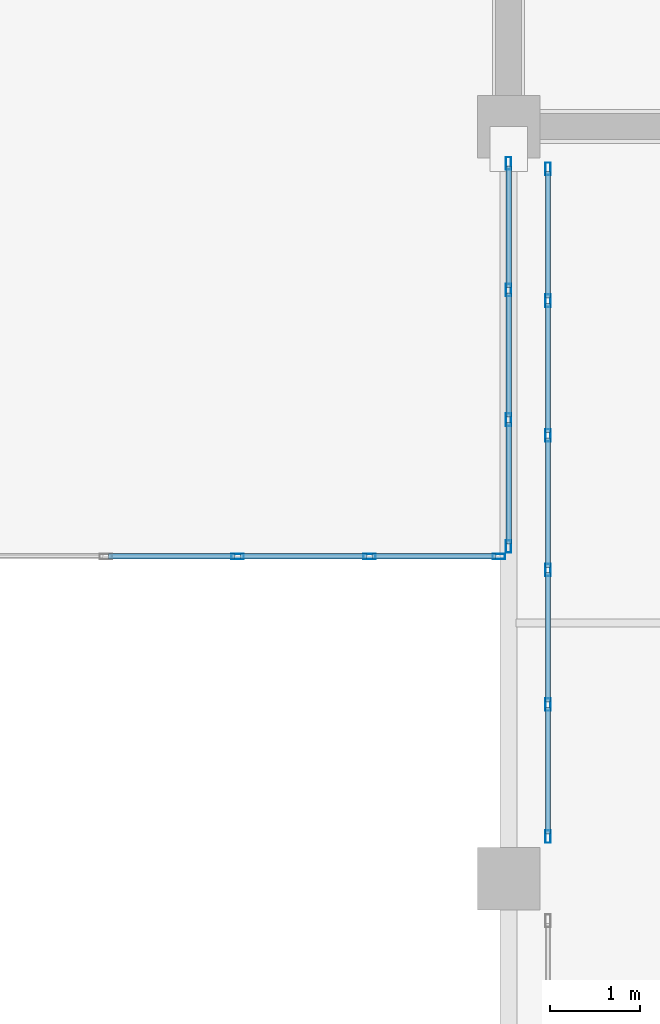
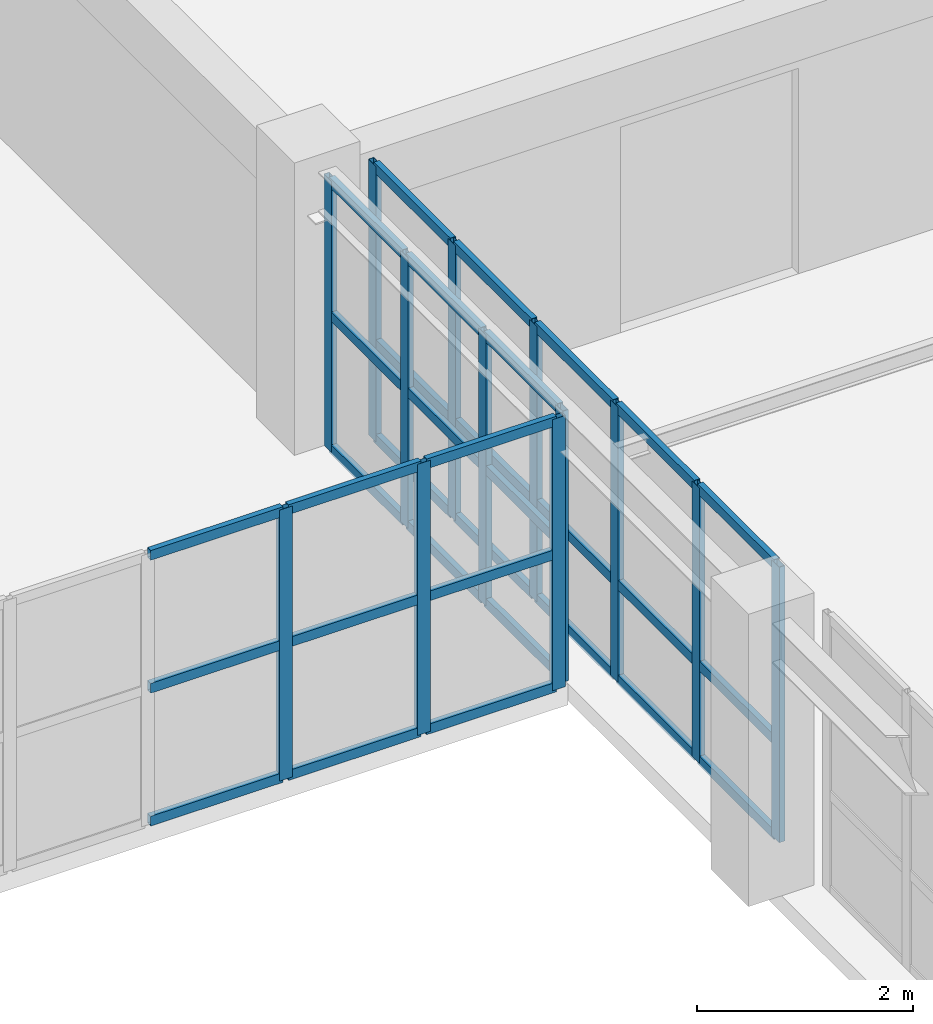
# One storey, part 35 of 148: 46 members, 3 elements without a shape of their own.
"""IFC4 building model written with IfcOpenShell, lengths in metres."""

from ifc_helpers import new_model, si_unit, direction, frame, origin, origin_2d, place, context, subcontext, project, spatial, hollow_rectangle, extrude, material, layer, layer_set, material_profile, profile_set, type_object, element, aggregate, save


model = new_model("IFC4")

# Units and contexts
model_context = context("Model", 3, precision=1e-05, world=origin(), true_north=direction((0.0, 1.0)))
body_context = subcontext(model_context, "Body", "Model", "MODEL_VIEW")
ifc_project = project(units=[si_unit("LENGTHUNIT", "METRE"), si_unit("AREAUNIT", "SQUARE_METRE"), si_unit("VOLUMEUNIT", "CUBIC_METRE"), si_unit("PLANEANGLEUNIT", "RADIAN"), si_unit("MASSUNIT", "GRAM", prefix="KILO")], contexts=[model_context])

# Site, building, storey
site_placement = place(None, origin())
site = spatial("IfcSite", under=ifc_project, at=site_placement, CompositionType="ELEMENT")
building_placement = place(site_placement, origin())
building = spatial("IfcBuilding", under=site, at=building_placement, Name="Trelvath General Hospital", CompositionType="ELEMENT")
storey_placement = place(building_placement, frame((0.0, 0.0, 12.89990234375)))
storey = spatial("IfcBuildingStorey", under=building, at=storey_placement, Name="L03", CompositionType="ELEMENT", Elevation=12.89990234375)

# Curtain wall, members
ifc_material_1 = material(Name="Anodised aluminium and low-E glass", Category="aluminium")
ifc_layer_1 = layer(ifc_material_1, 0.14990234375)
ifc_layer_set_1 = layer_set([ifc_layer_1], Name="Anodised aluminium and low-E glass")
curtain_wall_type_1 = type_object("IfcCurtainWallType", Name="CW CrystalCube 737 306 15", PredefinedType="USERDEFINED", material=ifc_layer_set_1)
curtain_wall_1_placement = place(storey_placement, origin())
curtain_wall_1 = element("IfcCurtainWall", 1, at=curtain_wall_1_placement, inside=storey, type_object=curtain_wall_type_1, Name="Crystal Cube Curtain Wall CUBE-W-T1 S3 L03", ObjectType="Unitised Glazed Curtain Wall", PredefinedType="USERDEFINED")
ifc_material_2 = material(Name="Anodised aluminium", Category="aluminium")
ifc_material_profile_1 = material_profile(ifc_material_2, hollow_rectangle(XDim=0.06005859375, YDim=0.139892578125, WallThickness=0.00390625, at=origin_2d()), Name="RHS60x140x4")
ifc_profile_set_1 = profile_set([ifc_material_profile_1], Name="Anodised aluminium")
member_type_1 = type_object("IfcMemberType", Name="CurtainMullion 60x140", PredefinedType="MULLION", material=ifc_profile_set_1)
member_1_placement = place(storey_placement, frame((75.489990234375, 37.199951171875, 0.0), z_axis=(0.0, 0.0, 1.0), x_axis=(0.0, -1.0, 0.0)))
member_1 = element("IfcMember", 2, at=member_1_placement, type_object=member_type_1, Name="CW-232 mullion 1", PredefinedType="MULLION", context=body_context, shape_type="SweptSolid", body=[
    extrude(hollow_rectangle(XDim=0.06005859375, YDim=0.139892578125, WallThickness=0.00390625, at=origin_2d()), origin(), (0.0, 0.0, 1.0), 3.06005859375),
])
member_2_placement = place(storey_placement, frame((74.046630859375, 37.199951171875, 0.0), z_axis=(0.0, 0.0, 1.0), x_axis=(0.0, -1.0, 0.0)))
member_2 = element("IfcMember", 3, at=member_2_placement, type_object=member_type_1, Name="CW-232 mullion 2", PredefinedType="MULLION", context=body_context, shape_type="SweptSolid", body=[
    extrude(hollow_rectangle(XDim=0.06005859375, YDim=0.139892578125, WallThickness=0.00390625, at=origin_2d()), origin(), (0.0, 0.0, 1.0), 3.06005859375),
])
member_3_placement = place(storey_placement, frame((72.5732421875, 37.199951171875, 0.0), z_axis=(0.0, 0.0, 1.0), x_axis=(0.0, -1.0, 0.0)))
member_3 = element("IfcMember", 4, at=member_3_placement, type_object=member_type_1, Name="CW-232 mullion 3", PredefinedType="MULLION", context=body_context, shape_type="SweptSolid", body=[
    extrude(hollow_rectangle(XDim=0.06005859375, YDim=0.139892578125, WallThickness=0.00390625, at=origin_2d()), origin(), (0.0, 0.0, 1.0), 3.06005859375),
])

ifc_material_3 = material(Name="Anodised aluminium and low-E glass", Category="aluminium")
ifc_layer_2 = layer(ifc_material_3, 0.14990234375)
ifc_layer_set_2 = layer_set([ifc_layer_2], Name="Anodised aluminium and low-E glass")
curtain_wall_type_2 = type_object("IfcCurtainWallType", Name="CW CrystalCube 434 306 15", PredefinedType="USERDEFINED", material=ifc_layer_set_2)
curtain_wall_2_placement = place(storey_placement, origin())
curtain_wall_2 = element("IfcCurtainWall", 5, at=curtain_wall_2_placement, inside=storey, type_object=curtain_wall_type_2, Name="Crystal Cube Curtain Wall CUBE-W-T1 E1 L03", ObjectType="Unitised Glazed Curtain Wall", PredefinedType="USERDEFINED")
member_4_placement = place(storey_placement, frame((75.60009765625, 41.590087890625, 0.0), z_axis=(0.0, 0.0, 1.0), x_axis=(1.0, 0.0, 0.0)))
member_4 = element("IfcMember", 6, at=member_4_placement, type_object=member_type_1, Name="CW-237 mullion 1", PredefinedType="MULLION", context=body_context, shape_type="SweptSolid", body=[
    extrude(hollow_rectangle(XDim=0.06005859375, YDim=0.139892578125, WallThickness=0.00390625, at=origin_2d()), origin(), (0.0, 0.0, 1.0), 3.06005859375),
])
member_5_placement = place(storey_placement, frame((75.60009765625, 40.17333984375, 0.0), z_axis=(0.0, 0.0, 1.0), x_axis=(1.0, 0.0, 0.0)))
member_5 = element("IfcMember", 7, at=member_5_placement, type_object=member_type_1, Name="CW-237 mullion 2", PredefinedType="MULLION", context=body_context, shape_type="SweptSolid", body=[
    extrude(hollow_rectangle(XDim=0.06005859375, YDim=0.139892578125, WallThickness=0.00390625, at=origin_2d()), origin(), (0.0, 0.0, 1.0), 3.06005859375),
])
member_6_placement = place(storey_placement, frame((75.60009765625, 38.7265625, 0.0), z_axis=(0.0, 0.0, 1.0), x_axis=(1.0, 0.0, 0.0)))
member_6 = element("IfcMember", 8, at=member_6_placement, type_object=member_type_1, Name="CW-237 mullion 3", PredefinedType="MULLION", context=body_context, shape_type="SweptSolid", body=[
    extrude(hollow_rectangle(XDim=0.06005859375, YDim=0.139892578125, WallThickness=0.00390625, at=origin_2d()), origin(), (0.0, 0.0, 1.0), 3.06005859375),
])
member_7_placement = place(storey_placement, frame((75.60009765625, 37.31005859375, 0.0), z_axis=(0.0, 0.0, 1.0), x_axis=(1.0, 0.0, 0.0)))
member_7 = element("IfcMember", 9, at=member_7_placement, type_object=member_type_1, Name="CW-237 mullion 4", PredefinedType="MULLION", context=body_context, shape_type="SweptSolid", body=[
    extrude(hollow_rectangle(XDim=0.06005859375, YDim=0.139892578125, WallThickness=0.00390625, at=origin_2d()), origin(), (0.0, 0.0, 1.0), 3.06005859375),
])

ifc_material_4 = material(Name="Anodised aluminium and low-E glass", Category="aluminium")
ifc_layer_3 = layer(ifc_material_4, 0.139892578125)
ifc_layer_set_3 = layer_set([ifc_layer_3], Name="Anodised aluminium and low-E glass")
curtain_wall_type_3 = type_object("IfcCurtainWallType", Name="CW Bridge 752 311", PredefinedType="USERDEFINED", material=ifc_layer_set_3)
curtain_wall_3_placement = place(storey_placement, origin())
curtain_wall_3 = element("IfcCurtainWall", 10, at=curtain_wall_3_placement, inside=storey, type_object=curtain_wall_type_3, Name="Glazed Bridge Curtain Wall BRG-S-C W L03", ObjectType="Unitised Glazed Curtain Wall", PredefinedType="USERDEFINED")
member_8_placement = place(storey_placement, frame((76.0400390625, 34.070068359375, 0.0), z_axis=(0.0, 0.0, 1.0), x_axis=(-1.0, 0.0, 0.0)))
member_8 = element("IfcMember", 11, at=member_8_placement, type_object=member_type_1, Name="CW-266 mullion 1", PredefinedType="MULLION", context=body_context, shape_type="SweptSolid", body=[
    extrude(hollow_rectangle(XDim=0.06005859375, YDim=0.139892578125, WallThickness=0.00390625, at=origin_2d()), origin(), (0.0, 0.0, 1.0), 3.110107421875),
])
member_9_placement = place(storey_placement, frame((76.0400390625, 35.5439453125, 0.0), z_axis=(0.0, 0.0, 1.0), x_axis=(-1.0, 0.0, 0.0)))
member_9 = element("IfcMember", 12, at=member_9_placement, type_object=member_type_1, Name="CW-266 mullion 2", PredefinedType="MULLION", context=body_context, shape_type="SweptSolid", body=[
    extrude(hollow_rectangle(XDim=0.06005859375, YDim=0.139892578125, WallThickness=0.00390625, at=origin_2d()), origin(), (0.0, 0.0, 1.0), 3.110107421875),
])
member_10_placement = place(storey_placement, frame((76.0400390625, 37.048095703125, 0.0), z_axis=(0.0, 0.0, 1.0), x_axis=(-1.0, 0.0, 0.0)))
member_10 = element("IfcMember", 13, at=member_10_placement, type_object=member_type_1, Name="CW-266 mullion 3", PredefinedType="MULLION", context=body_context, shape_type="SweptSolid", body=[
    extrude(hollow_rectangle(XDim=0.06005859375, YDim=0.139892578125, WallThickness=0.00390625, at=origin_2d()), origin(), (0.0, 0.0, 1.0), 3.110107421875),
])
member_11_placement = place(storey_placement, frame((76.0400390625, 38.552001953125, 0.0), z_axis=(0.0, 0.0, 1.0), x_axis=(-1.0, 0.0, 0.0)))
member_11 = element("IfcMember", 14, at=member_11_placement, type_object=member_type_1, Name="CW-266 mullion 4", PredefinedType="MULLION", context=body_context, shape_type="SweptSolid", body=[
    extrude(hollow_rectangle(XDim=0.06005859375, YDim=0.139892578125, WallThickness=0.00390625, at=origin_2d()), origin(), (0.0, 0.0, 1.0), 3.110107421875),
])
member_12_placement = place(storey_placement, frame((76.0400390625, 40.055908203125, 0.0), z_axis=(0.0, 0.0, 1.0), x_axis=(-1.0, 0.0, 0.0)))
member_12 = element("IfcMember", 15, at=member_12_placement, type_object=member_type_1, Name="CW-266 mullion 5", PredefinedType="MULLION", context=body_context, shape_type="SweptSolid", body=[
    extrude(hollow_rectangle(XDim=0.06005859375, YDim=0.139892578125, WallThickness=0.00390625, at=origin_2d()), origin(), (0.0, 0.0, 1.0), 3.110107421875),
])
member_13_placement = place(storey_placement, frame((76.0400390625, 41.530029296875, 0.0), z_axis=(0.0, 0.0, 1.0), x_axis=(-1.0, 0.0, 0.0)))
member_13 = element("IfcMember", 16, at=member_13_placement, type_object=member_type_1, Name="CW-266 mullion 6", PredefinedType="MULLION", context=body_context, shape_type="SweptSolid", body=[
    extrude(hollow_rectangle(XDim=0.06005859375, YDim=0.139892578125, WallThickness=0.00390625, at=origin_2d()), origin(), (0.0, 0.0, 1.0), 3.110107421875),
])

# Member
ifc_material_5 = material(Name="Anodised aluminium", Category="aluminium")
ifc_material_profile_2 = material_profile(ifc_material_5, hollow_rectangle(XDim=0.06005859375, YDim=0.110107421875, WallThickness=0.00390625, at=origin_2d()), Name="RHS60x110x4")
ifc_profile_set_2 = profile_set([ifc_material_profile_2], Name="Anodised aluminium")
member_type_2 = type_object("IfcMemberType", Name="CurtainTransom 60x110", PredefinedType="USERDEFINED", material=ifc_profile_set_2)
member_14_placement = place(storey_placement, frame((75.4599609375, 37.199951171875, 0.030029296875), z_axis=(-1.0, 0.0, 0.0), x_axis=(0.0, -1.0, 0.0)))
member_14 = element("IfcMember", 17, at=member_14_placement, type_object=member_type_2, Name="CW-232 transom 1.1", ObjectType="TRANSOM", PredefinedType="USERDEFINED", context=body_context, shape_type="SweptSolid", body=[
    extrude(hollow_rectangle(XDim=0.06005859375, YDim=0.110107421875, WallThickness=0.00390625, at=origin_2d()), origin(), (0.0, 0.0, 1.0), 1.38330078125),
])

member_15_placement = place(storey_placement, frame((75.4599609375, 37.199951171875, 1.530029296875), z_axis=(-1.0, 0.0, 0.0), x_axis=(0.0, -1.0, 0.0)))
member_15 = element("IfcMember", 18, at=member_15_placement, type_object=member_type_2, Name="CW-232 transom 1.2", ObjectType="TRANSOM", PredefinedType="USERDEFINED", context=body_context, shape_type="SweptSolid", body=[
    extrude(hollow_rectangle(XDim=0.06005859375, YDim=0.110107421875, WallThickness=0.00390625, at=origin_2d()), origin(), (0.0, 0.0, 1.0), 1.38330078125),
])

member_16_placement = place(storey_placement, frame((75.4599609375, 37.199951171875, 3.030029296875), z_axis=(-1.0, 0.0, 0.0), x_axis=(0.0, -1.0, 0.0)))
member_16 = element("IfcMember", 19, at=member_16_placement, type_object=member_type_2, Name="CW-232 transom 1.3", ObjectType="TRANSOM", PredefinedType="USERDEFINED", context=body_context, shape_type="SweptSolid", body=[
    extrude(hollow_rectangle(XDim=0.06005859375, YDim=0.110107421875, WallThickness=0.00390625, at=origin_2d()), origin(), (0.0, 0.0, 1.0), 1.38330078125),
])

member_17_placement = place(storey_placement, frame((74.0166015625, 37.199951171875, 0.030029296875), z_axis=(-1.0, 0.0, 0.0), x_axis=(0.0, -1.0, 0.0)))
member_17 = element("IfcMember", 20, at=member_17_placement, type_object=member_type_2, Name="CW-232 transom 2.1", ObjectType="TRANSOM", PredefinedType="USERDEFINED", context=body_context, shape_type="SweptSolid", body=[
    extrude(hollow_rectangle(XDim=0.06005859375, YDim=0.110107421875, WallThickness=0.00390625, at=origin_2d()), origin(), (0.0, 0.0, 1.0), 1.413330078125),
])

member_18_placement = place(storey_placement, frame((74.0166015625, 37.199951171875, 1.530029296875), z_axis=(-1.0, 0.0, 0.0), x_axis=(0.0, -1.0, 0.0)))
member_18 = element("IfcMember", 21, at=member_18_placement, type_object=member_type_2, Name="CW-232 transom 2.2", ObjectType="TRANSOM", PredefinedType="USERDEFINED", context=body_context, shape_type="SweptSolid", body=[
    extrude(hollow_rectangle(XDim=0.06005859375, YDim=0.110107421875, WallThickness=0.00390625, at=origin_2d()), origin(), (0.0, 0.0, 1.0), 1.413330078125),
])

member_19_placement = place(storey_placement, frame((74.0166015625, 37.199951171875, 3.030029296875), z_axis=(-1.0, 0.0, 0.0), x_axis=(0.0, -1.0, 0.0)))
member_19 = element("IfcMember", 22, at=member_19_placement, type_object=member_type_2, Name="CW-232 transom 2.3", ObjectType="TRANSOM", PredefinedType="USERDEFINED", context=body_context, shape_type="SweptSolid", body=[
    extrude(hollow_rectangle(XDim=0.06005859375, YDim=0.110107421875, WallThickness=0.00390625, at=origin_2d()), origin(), (0.0, 0.0, 1.0), 1.413330078125),
])

member_20_placement = place(storey_placement, frame((72.543212890625, 37.199951171875, 0.030029296875), z_axis=(-1.0, 0.0, 0.0), x_axis=(0.0, -1.0, 0.0)))
member_20 = element("IfcMember", 23, at=member_20_placement, type_object=member_type_2, Name="CW-232 transom 3.1", ObjectType="TRANSOM", PredefinedType="USERDEFINED", context=body_context, shape_type="SweptSolid", body=[
    extrude(hollow_rectangle(XDim=0.06005859375, YDim=0.110107421875, WallThickness=0.00390625, at=origin_2d()), origin(), (0.0, 0.0, 1.0), 1.413330078125),
])

member_21_placement = place(storey_placement, frame((72.543212890625, 37.199951171875, 1.530029296875), z_axis=(-1.0, 0.0, 0.0), x_axis=(0.0, -1.0, 0.0)))
member_21 = element("IfcMember", 24, at=member_21_placement, type_object=member_type_2, Name="CW-232 transom 3.2", ObjectType="TRANSOM", PredefinedType="USERDEFINED", context=body_context, shape_type="SweptSolid", body=[
    extrude(hollow_rectangle(XDim=0.06005859375, YDim=0.110107421875, WallThickness=0.00390625, at=origin_2d()), origin(), (0.0, 0.0, 1.0), 1.413330078125),
])

member_22_placement = place(storey_placement, frame((72.543212890625, 37.199951171875, 3.030029296875), z_axis=(-1.0, 0.0, 0.0), x_axis=(0.0, -1.0, 0.0)))
member_22 = element("IfcMember", 25, at=member_22_placement, type_object=member_type_2, Name="CW-232 transom 3.3", ObjectType="TRANSOM", PredefinedType="USERDEFINED", context=body_context, shape_type="SweptSolid", body=[
    extrude(hollow_rectangle(XDim=0.06005859375, YDim=0.110107421875, WallThickness=0.00390625, at=origin_2d()), origin(), (0.0, 0.0, 1.0), 1.413330078125),
])

aggregate(curtain_wall_1, [member_1, member_2, member_3, member_14, member_15, member_16, member_17, member_18, member_19, member_20, member_21, member_22])

member_23_placement = place(storey_placement, frame((75.60009765625, 41.56005859375, 0.030029296875), z_axis=(0.0, -1.0, 0.0), x_axis=(1.0, 0.0, 0.0)))
member_23 = element("IfcMember", 26, at=member_23_placement, type_object=member_type_2, Name="CW-237 transom 1.1", ObjectType="TRANSOM", PredefinedType="USERDEFINED", context=body_context, shape_type="SweptSolid", body=[
    extrude(hollow_rectangle(XDim=0.06005859375, YDim=0.110107421875, WallThickness=0.00390625, at=origin_2d()), origin(), (0.0, 0.0, 1.0), 1.356689453125),
])

member_24_placement = place(storey_placement, frame((75.60009765625, 41.56005859375, 1.530029296875), z_axis=(0.0, -1.0, 0.0), x_axis=(1.0, 0.0, 0.0)))
member_24 = element("IfcMember", 27, at=member_24_placement, type_object=member_type_2, Name="CW-237 transom 1.2", ObjectType="TRANSOM", PredefinedType="USERDEFINED", context=body_context, shape_type="SweptSolid", body=[
    extrude(hollow_rectangle(XDim=0.06005859375, YDim=0.110107421875, WallThickness=0.00390625, at=origin_2d()), origin(), (0.0, 0.0, 1.0), 1.356689453125),
])

member_25_placement = place(storey_placement, frame((75.60009765625, 41.56005859375, 3.030029296875), z_axis=(0.0, -1.0, 0.0), x_axis=(1.0, 0.0, 0.0)))
member_25 = element("IfcMember", 28, at=member_25_placement, type_object=member_type_2, Name="CW-237 transom 1.3", ObjectType="TRANSOM", PredefinedType="USERDEFINED", context=body_context, shape_type="SweptSolid", body=[
    extrude(hollow_rectangle(XDim=0.06005859375, YDim=0.110107421875, WallThickness=0.00390625, at=origin_2d()), origin(), (0.0, 0.0, 1.0), 1.356689453125),
])

member_26_placement = place(storey_placement, frame((75.60009765625, 40.143310546875, 0.030029296875), z_axis=(0.0, -1.0, 0.0), x_axis=(1.0, 0.0, 0.0)))
member_26 = element("IfcMember", 29, at=member_26_placement, type_object=member_type_2, Name="CW-237 transom 2.1", ObjectType="TRANSOM", PredefinedType="USERDEFINED", context=body_context, shape_type="SweptSolid", body=[
    extrude(hollow_rectangle(XDim=0.06005859375, YDim=0.110107421875, WallThickness=0.00390625, at=origin_2d()), origin(), (0.0, 0.0, 1.0), 1.38671875),
])

member_27_placement = place(storey_placement, frame((75.60009765625, 40.143310546875, 1.530029296875), z_axis=(0.0, -1.0, 0.0), x_axis=(1.0, 0.0, 0.0)))
member_27 = element("IfcMember", 30, at=member_27_placement, type_object=member_type_2, Name="CW-237 transom 2.2", ObjectType="TRANSOM", PredefinedType="USERDEFINED", context=body_context, shape_type="SweptSolid", body=[
    extrude(hollow_rectangle(XDim=0.06005859375, YDim=0.110107421875, WallThickness=0.00390625, at=origin_2d()), origin(), (0.0, 0.0, 1.0), 1.38671875),
])

member_28_placement = place(storey_placement, frame((75.60009765625, 40.143310546875, 3.030029296875), z_axis=(0.0, -1.0, 0.0), x_axis=(1.0, 0.0, 0.0)))
member_28 = element("IfcMember", 31, at=member_28_placement, type_object=member_type_2, Name="CW-237 transom 2.3", ObjectType="TRANSOM", PredefinedType="USERDEFINED", context=body_context, shape_type="SweptSolid", body=[
    extrude(hollow_rectangle(XDim=0.06005859375, YDim=0.110107421875, WallThickness=0.00390625, at=origin_2d()), origin(), (0.0, 0.0, 1.0), 1.38671875),
])

member_29_placement = place(storey_placement, frame((75.60009765625, 38.69677734375, 0.030029296875), z_axis=(0.0, -1.0, 0.0), x_axis=(1.0, 0.0, 0.0)))
member_29 = element("IfcMember", 32, at=member_29_placement, type_object=member_type_2, Name="CW-237 transom 3.1", ObjectType="TRANSOM", PredefinedType="USERDEFINED", context=body_context, shape_type="SweptSolid", body=[
    extrude(hollow_rectangle(XDim=0.06005859375, YDim=0.110107421875, WallThickness=0.00390625, at=origin_2d()), origin(), (0.0, 0.0, 1.0), 1.356689453125),
])

member_30_placement = place(storey_placement, frame((75.60009765625, 38.69677734375, 1.530029296875), z_axis=(0.0, -1.0, 0.0), x_axis=(1.0, 0.0, 0.0)))
member_30 = element("IfcMember", 33, at=member_30_placement, type_object=member_type_2, Name="CW-237 transom 3.2", ObjectType="TRANSOM", PredefinedType="USERDEFINED", context=body_context, shape_type="SweptSolid", body=[
    extrude(hollow_rectangle(XDim=0.06005859375, YDim=0.110107421875, WallThickness=0.00390625, at=origin_2d()), origin(), (0.0, 0.0, 1.0), 1.356689453125),
])

member_31_placement = place(storey_placement, frame((75.60009765625, 38.69677734375, 3.030029296875), z_axis=(0.0, -1.0, 0.0), x_axis=(1.0, 0.0, 0.0)))
member_31 = element("IfcMember", 34, at=member_31_placement, type_object=member_type_2, Name="CW-237 transom 3.3", ObjectType="TRANSOM", PredefinedType="USERDEFINED", context=body_context, shape_type="SweptSolid", body=[
    extrude(hollow_rectangle(XDim=0.06005859375, YDim=0.110107421875, WallThickness=0.00390625, at=origin_2d()), origin(), (0.0, 0.0, 1.0), 1.356689453125),
])

aggregate(curtain_wall_2, [member_4, member_5, member_6, member_7, member_23, member_24, member_25, member_26, member_27, member_28, member_29, member_30, member_31])

member_32_placement = place(storey_placement, frame((76.0400390625, 34.10009765625, 0.030029296875), z_axis=(0.0, 1.0, 0.0), x_axis=(-1.0, 0.0, 0.0)))
member_32 = element("IfcMember", 35, at=member_32_placement, type_object=member_type_2, Name="CW-266 transom 1.1", ObjectType="TRANSOM", PredefinedType="USERDEFINED", context=body_context, shape_type="SweptSolid", body=[
    extrude(hollow_rectangle(XDim=0.06005859375, YDim=0.110107421875, WallThickness=0.00390625, at=origin_2d()), origin(), (0.0, 0.0, 1.0), 1.413818359375),
])

member_33_placement = place(storey_placement, frame((76.0400390625, 34.10009765625, 1.10009765625), z_axis=(0.0, 1.0, 0.0), x_axis=(-1.0, 0.0, 0.0)))
member_33 = element("IfcMember", 36, at=member_33_placement, type_object=member_type_2, Name="CW-266 transom 1.2", ObjectType="TRANSOM", PredefinedType="USERDEFINED", context=body_context, shape_type="SweptSolid", body=[
    extrude(hollow_rectangle(XDim=0.06005859375, YDim=0.110107421875, WallThickness=0.00390625, at=origin_2d()), origin(), (0.0, 0.0, 1.0), 1.413818359375),
])

member_34_placement = place(storey_placement, frame((76.0400390625, 34.10009765625, 3.080078125), z_axis=(0.0, 1.0, 0.0), x_axis=(-1.0, 0.0, 0.0)))
member_34 = element("IfcMember", 37, at=member_34_placement, type_object=member_type_2, Name="CW-266 transom 1.3", ObjectType="TRANSOM", PredefinedType="USERDEFINED", context=body_context, shape_type="SweptSolid", body=[
    extrude(hollow_rectangle(XDim=0.06005859375, YDim=0.110107421875, WallThickness=0.00390625, at=origin_2d()), origin(), (0.0, 0.0, 1.0), 1.413818359375),
])

member_35_placement = place(storey_placement, frame((76.0400390625, 35.573974609375, 0.030029296875), z_axis=(0.0, 1.0, 0.0), x_axis=(-1.0, 0.0, 0.0)))
member_35 = element("IfcMember", 38, at=member_35_placement, type_object=member_type_2, Name="CW-266 transom 2.1", ObjectType="TRANSOM", PredefinedType="USERDEFINED", context=body_context, shape_type="SweptSolid", body=[
    extrude(hollow_rectangle(XDim=0.06005859375, YDim=0.110107421875, WallThickness=0.00390625, at=origin_2d()), origin(), (0.0, 0.0, 1.0), 1.444091796875),
])

member_36_placement = place(storey_placement, frame((76.0400390625, 35.573974609375, 1.10009765625), z_axis=(0.0, 1.0, 0.0), x_axis=(-1.0, 0.0, 0.0)))
member_36 = element("IfcMember", 39, at=member_36_placement, type_object=member_type_2, Name="CW-266 transom 2.2", ObjectType="TRANSOM", PredefinedType="USERDEFINED", context=body_context, shape_type="SweptSolid", body=[
    extrude(hollow_rectangle(XDim=0.06005859375, YDim=0.110107421875, WallThickness=0.00390625, at=origin_2d()), origin(), (0.0, 0.0, 1.0), 1.444091796875),
])

member_37_placement = place(storey_placement, frame((76.0400390625, 35.573974609375, 3.080078125), z_axis=(0.0, 1.0, 0.0), x_axis=(-1.0, 0.0, 0.0)))
member_37 = element("IfcMember", 40, at=member_37_placement, type_object=member_type_2, Name="CW-266 transom 2.3", ObjectType="TRANSOM", PredefinedType="USERDEFINED", context=body_context, shape_type="SweptSolid", body=[
    extrude(hollow_rectangle(XDim=0.06005859375, YDim=0.110107421875, WallThickness=0.00390625, at=origin_2d()), origin(), (0.0, 0.0, 1.0), 1.444091796875),
])

member_38_placement = place(storey_placement, frame((76.0400390625, 37.077880859375, 0.030029296875), z_axis=(0.0, 1.0, 0.0), x_axis=(-1.0, 0.0, 0.0)))
member_38 = element("IfcMember", 41, at=member_38_placement, type_object=member_type_2, Name="CW-266 transom 3.1", ObjectType="TRANSOM", PredefinedType="USERDEFINED", context=body_context, shape_type="SweptSolid", body=[
    extrude(hollow_rectangle(XDim=0.06005859375, YDim=0.110107421875, WallThickness=0.00390625, at=origin_2d()), origin(), (0.0, 0.0, 1.0), 1.444091796875),
])

member_39_placement = place(storey_placement, frame((76.0400390625, 37.077880859375, 1.10009765625), z_axis=(0.0, 1.0, 0.0), x_axis=(-1.0, 0.0, 0.0)))
member_39 = element("IfcMember", 42, at=member_39_placement, type_object=member_type_2, Name="CW-266 transom 3.2", ObjectType="TRANSOM", PredefinedType="USERDEFINED", context=body_context, shape_type="SweptSolid", body=[
    extrude(hollow_rectangle(XDim=0.06005859375, YDim=0.110107421875, WallThickness=0.00390625, at=origin_2d()), origin(), (0.0, 0.0, 1.0), 1.444091796875),
])

member_40_placement = place(storey_placement, frame((76.0400390625, 37.077880859375, 3.080078125), z_axis=(0.0, 1.0, 0.0), x_axis=(-1.0, 0.0, 0.0)))
member_40 = element("IfcMember", 43, at=member_40_placement, type_object=member_type_2, Name="CW-266 transom 3.3", ObjectType="TRANSOM", PredefinedType="USERDEFINED", context=body_context, shape_type="SweptSolid", body=[
    extrude(hollow_rectangle(XDim=0.06005859375, YDim=0.110107421875, WallThickness=0.00390625, at=origin_2d()), origin(), (0.0, 0.0, 1.0), 1.444091796875),
])

member_41_placement = place(storey_placement, frame((76.0400390625, 38.58203125, 0.030029296875), z_axis=(0.0, 1.0, 0.0), x_axis=(-1.0, 0.0, 0.0)))
member_41 = element("IfcMember", 44, at=member_41_placement, type_object=member_type_2, Name="CW-266 transom 4.1", ObjectType="TRANSOM", PredefinedType="USERDEFINED", context=body_context, shape_type="SweptSolid", body=[
    extrude(hollow_rectangle(XDim=0.06005859375, YDim=0.110107421875, WallThickness=0.00390625, at=origin_2d()), origin(), (0.0, 0.0, 1.0), 1.44384765625),
])

member_42_placement = place(storey_placement, frame((76.0400390625, 38.58203125, 1.10009765625), z_axis=(0.0, 1.0, 0.0), x_axis=(-1.0, 0.0, 0.0)))
member_42 = element("IfcMember", 45, at=member_42_placement, type_object=member_type_2, Name="CW-266 transom 4.2", ObjectType="TRANSOM", PredefinedType="USERDEFINED", context=body_context, shape_type="SweptSolid", body=[
    extrude(hollow_rectangle(XDim=0.06005859375, YDim=0.110107421875, WallThickness=0.00390625, at=origin_2d()), origin(), (0.0, 0.0, 1.0), 1.44384765625),
])

member_43_placement = place(storey_placement, frame((76.0400390625, 38.58203125, 3.080078125), z_axis=(0.0, 1.0, 0.0), x_axis=(-1.0, 0.0, 0.0)))
member_43 = element("IfcMember", 46, at=member_43_placement, type_object=member_type_2, Name="CW-266 transom 4.3", ObjectType="TRANSOM", PredefinedType="USERDEFINED", context=body_context, shape_type="SweptSolid", body=[
    extrude(hollow_rectangle(XDim=0.06005859375, YDim=0.110107421875, WallThickness=0.00390625, at=origin_2d()), origin(), (0.0, 0.0, 1.0), 1.44384765625),
])

member_44_placement = place(storey_placement, frame((76.0400390625, 40.0859375, 0.030029296875), z_axis=(0.0, 1.0, 0.0), x_axis=(-1.0, 0.0, 0.0)))
member_44 = element("IfcMember", 47, at=member_44_placement, type_object=member_type_2, Name="CW-266 transom 5.1", ObjectType="TRANSOM", PredefinedType="USERDEFINED", context=body_context, shape_type="SweptSolid", body=[
    extrude(hollow_rectangle(XDim=0.06005859375, YDim=0.110107421875, WallThickness=0.00390625, at=origin_2d()), origin(), (0.0, 0.0, 1.0), 1.4140625),
])

member_45_placement = place(storey_placement, frame((76.0400390625, 40.0859375, 1.10009765625), z_axis=(0.0, 1.0, 0.0), x_axis=(-1.0, 0.0, 0.0)))
member_45 = element("IfcMember", 48, at=member_45_placement, type_object=member_type_2, Name="CW-266 transom 5.2", ObjectType="TRANSOM", PredefinedType="USERDEFINED", context=body_context, shape_type="SweptSolid", body=[
    extrude(hollow_rectangle(XDim=0.06005859375, YDim=0.110107421875, WallThickness=0.00390625, at=origin_2d()), origin(), (0.0, 0.0, 1.0), 1.4140625),
])

member_46_placement = place(storey_placement, frame((76.0400390625, 40.0859375, 3.080078125), z_axis=(0.0, 1.0, 0.0), x_axis=(-1.0, 0.0, 0.0)))
member_46 = element("IfcMember", 49, at=member_46_placement, type_object=member_type_2, Name="CW-266 transom 5.3", ObjectType="TRANSOM", PredefinedType="USERDEFINED", context=body_context, shape_type="SweptSolid", body=[
    extrude(hollow_rectangle(XDim=0.06005859375, YDim=0.110107421875, WallThickness=0.00390625, at=origin_2d()), origin(), (0.0, 0.0, 1.0), 1.4140625),
])

aggregate(curtain_wall_3, [member_8, member_9, member_10, member_11, member_12, member_13, member_32, member_33, member_34, member_35, member_36, member_37, member_38, member_39, member_40, member_41, member_42, member_43, member_44, member_45, member_46])

save(model, "model.ifc")
